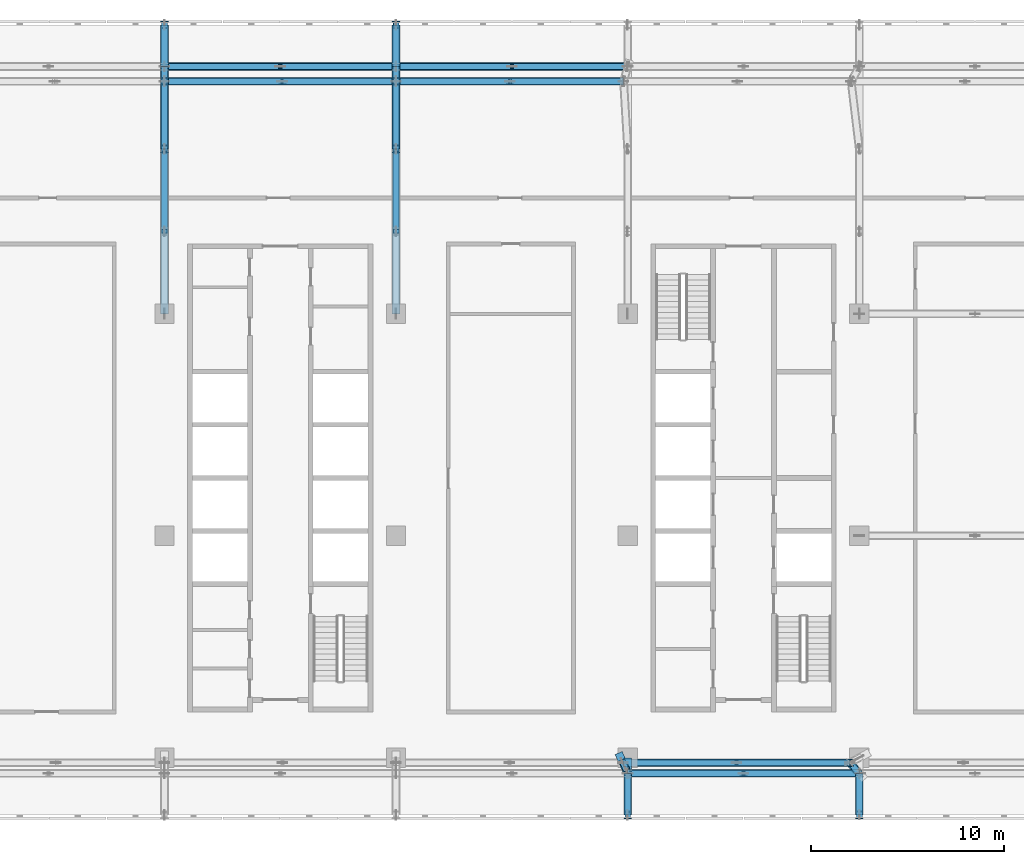
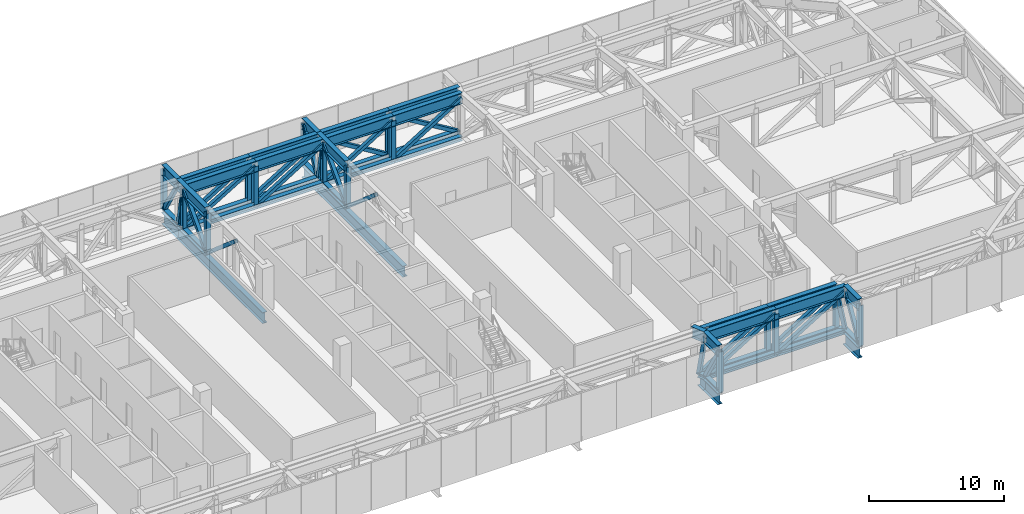
# One storey, part 8 of 29: 72 members, 7 beams.
"""IFC4 building model written with IfcOpenShell, lengths in metres."""

from ifc_helpers import new_model, si_unit, direction, frame, origin, origin_2d, place, context, subcontext, project, spatial, hollow_rectangle, i_section, extrude, material, material_profile, profile_set, type_object, element, save


model = new_model("IFC4")

# Units and contexts
model_context = context("Model", 3, precision=1e-05, world=origin(), true_north=direction((0.0, 1.0)))
body_context = subcontext(model_context, "Body", "Model", "MODEL_VIEW")
ifc_project = project(units=[si_unit("LENGTHUNIT", "METRE"), si_unit("AREAUNIT", "SQUARE_METRE"), si_unit("VOLUMEUNIT", "CUBIC_METRE"), si_unit("PLANEANGLEUNIT", "RADIAN"), si_unit("MASSUNIT", "GRAM", prefix="KILO")], contexts=[model_context])

# Site, building, storey
site_placement = place(None, origin())
site = spatial("IfcSite", under=ifc_project, at=site_placement, CompositionType="ELEMENT")
building_placement = place(site_placement, origin())
building = spatial("IfcBuilding", under=site, at=building_placement, Name="Mahtab Terrace Research Tower", CompositionType="ELEMENT")
storey_placement = place(building_placement, frame((0.0, 0.0, 259.0)))
storey = spatial("IfcBuildingStorey", under=building, at=storey_placement, Name="L63", CompositionType="ELEMENT", Elevation=259.0)

# Members
ifc_material_1 = material(Name="Steel ASTM A500 Gr C", Category="steel")
ifc_material_profile_1 = material_profile(ifc_material_1, hollow_rectangle(XDim=0.3046875, YDim=0.3046875, WallThickness=0.0126953125, at=origin_2d()), Name="HSS12X12X1/2")
ifc_profile_set_1 = profile_set([ifc_material_profile_1], Name="Steel ASTM A500 Gr C")
member_type_1 = type_object("IfcMemberType", Name="HSS 12x12x1/2 brace TD121212", PredefinedType="BRACE", material=ifc_profile_set_1)
member_1_placement = place(storey_placement, frame((-6.0, 20.0380859375, -0.19677734375), z_axis=(0.0, -0.759492630748, 0.650515905908), x_axis=(1.0, 0.0, 0.0)))
element("IfcMember", 1, at=member_1_placement, inside=storey, type_object=member_type_1, Name="Transfer truss T7 diagonal 066", PredefinedType="BRACE", context=body_context, shape_type="SweptSolid", body=[
    extrude(hollow_rectangle(XDim=0.3046875, YDim=0.3046875, WallThickness=0.0126953125, at=origin_2d()), origin(), (0.0, 0.0, 1.0), 5.620849609375),
])
member_2_placement = place(storey_placement, frame((-6.0, 20.0380859375, -0.19677734375), z_axis=(0.0, 0.692283052503, 0.721626063289), x_axis=(-1.0, 0.0, 0.0)))
element("IfcMember", 2, at=member_2_placement, inside=storey, type_object=member_type_1, Name="Transfer truss T7 diagonal 067", PredefinedType="BRACE", context=body_context, shape_type="SweptSolid", body=[
    extrude(hollow_rectangle(XDim=0.3046875, YDim=0.3046875, WallThickness=0.0126953125, at=origin_2d()), origin(), (0.0, 0.0, 1.0), 5.067138671875),
])
member_3_placement = place(storey_placement, frame((-6.0, 24.306884765625, -0.19677734375), z_axis=(0.0, -0.203753250193, 0.979022274024), x_axis=(1.0, 0.0, 0.0)))
element("IfcMember", 3, at=member_3_placement, inside=storey, type_object=member_type_1, Name="Transfer truss T7 diagonal 068", PredefinedType="BRACE", context=body_context, shape_type="SweptSolid", body=[
    extrude(hollow_rectangle(XDim=0.3046875, YDim=0.3046875, WallThickness=0.0126953125, at=origin_2d()), origin(), (0.0, 0.0, 1.0), 3.73486328125),
])
member_4_placement = place(storey_placement, frame((-6.0, 26.472900390625, -0.19677734375), z_axis=(0.0, -0.50966381265, 0.860373638645), x_axis=(1.0, 0.0, 0.0)))
element("IfcMember", 4, at=member_4_placement, inside=storey, type_object=member_type_1, Name="Transfer truss T7 diagonal 070", PredefinedType="BRACE", context=body_context, shape_type="SweptSolid", body=[
    extrude(hollow_rectangle(XDim=0.3046875, YDim=0.3046875, WallThickness=0.0126953125, at=origin_2d()), origin(), (0.0, 0.0, 1.0), 4.25),
])
member_5_placement = place(storey_placement, frame((-6.0, 23.5458984375, -0.19677734375), z_axis=(0.857931497233, 0.0, 0.513764095724), x_axis=(0.0, 1.0, 0.0)))
element("IfcMember", 5, at=member_5_placement, inside=storey, type_object=member_type_1, Name="Transfer truss T7 diagonal 071", PredefinedType="BRACE", context=body_context, shape_type="SweptSolid", body=[
    extrude(hollow_rectangle(XDim=0.3046875, YDim=0.3046875, WallThickness=0.0126953125, at=origin_2d()), origin(), (0.0, 0.0, 1.0), 7.1171875),
])
member_6_placement = place(storey_placement, frame((-6.0, 24.306884765625, -0.19677734375), z_axis=(0.853925355754, 0.0, 0.520395509974), x_axis=(0.0, 1.0, 0.0)))
element("IfcMember", 6, at=member_6_placement, inside=storey, type_object=member_type_1, Name="Transfer truss T7 diagonal 074", PredefinedType="BRACE", context=body_context, shape_type="SweptSolid", body=[
    extrude(hollow_rectangle(XDim=0.3046875, YDim=0.3046875, WallThickness=0.0126953125, at=origin_2d()), origin(), (0.0, 0.0, 1.0), 7.0263671875),
])
member_7_placement = place(storey_placement, frame((0.10595703125, 23.5458984375, -0.19677734375), z_axis=(0.849761419827, 0.0, 0.527167458568), x_axis=(0.0, 1.0, 0.0)))
element("IfcMember", 7, at=member_7_placement, inside=storey, type_object=member_type_1, Name="Transfer truss T7 diagonal 075", PredefinedType="BRACE", context=body_context, shape_type="SweptSolid", body=[
    extrude(hollow_rectangle(XDim=0.3046875, YDim=0.3046875, WallThickness=0.0126953125, at=origin_2d()), origin(), (0.0, 0.0, 1.0), 6.93603515625),
])
member_8_placement = place(storey_placement, frame((6.0, 20.0380859375, -0.19677734375), z_axis=(0.0, -0.759492630748, 0.650515905908), x_axis=(1.0, 0.0, 0.0)))
element("IfcMember", 8, at=member_8_placement, inside=storey, type_object=member_type_1, Name="Transfer truss T7 diagonal 082", PredefinedType="BRACE", context=body_context, shape_type="SweptSolid", body=[
    extrude(hollow_rectangle(XDim=0.3046875, YDim=0.3046875, WallThickness=0.0126953125, at=origin_2d()), origin(), (0.0, 0.0, 1.0), 5.620849609375),
])
member_9_placement = place(storey_placement, frame((6.0, 20.0380859375, -0.19677734375), z_axis=(0.0, 0.692283052503, 0.721626063289), x_axis=(-1.0, 0.0, 0.0)))
element("IfcMember", 9, at=member_9_placement, inside=storey, type_object=member_type_1, Name="Transfer truss T7 diagonal 083", PredefinedType="BRACE", context=body_context, shape_type="SweptSolid", body=[
    extrude(hollow_rectangle(XDim=0.3046875, YDim=0.3046875, WallThickness=0.0126953125, at=origin_2d()), origin(), (0.0, 0.0, 1.0), 5.067138671875),
])
member_10_placement = place(storey_placement, frame((6.0, 24.306884765625, -0.19677734375), z_axis=(0.0, -0.203753250193, 0.979022274024), x_axis=(1.0, 0.0, 0.0)))
element("IfcMember", 10, at=member_10_placement, inside=storey, type_object=member_type_1, Name="Transfer truss T7 diagonal 084", PredefinedType="BRACE", context=body_context, shape_type="SweptSolid", body=[
    extrude(hollow_rectangle(XDim=0.3046875, YDim=0.3046875, WallThickness=0.0126953125, at=origin_2d()), origin(), (0.0, 0.0, 1.0), 3.73486328125),
])
member_11_placement = place(storey_placement, frame((6.0, 23.5458984375, -0.19677734375), z_axis=(0.849761419827, 0.0, 0.527167458568), x_axis=(0.0, 1.0, 0.0)))
element("IfcMember", 11, at=member_11_placement, inside=storey, type_object=member_type_1, Name="Transfer truss T7 diagonal 085", PredefinedType="BRACE", context=body_context, shape_type="SweptSolid", body=[
    extrude(hollow_rectangle(XDim=0.3046875, YDim=0.3046875, WallThickness=0.0126953125, at=origin_2d()), origin(), (0.0, 0.0, 1.0), 6.93603515625),
])
member_12_placement = place(storey_placement, frame((0.0, 24.306884765625, -0.19677734375), z_axis=(0.853925355754, 0.0, 0.520395509974), x_axis=(0.0, 1.0, 0.0)))
element("IfcMember", 12, at=member_12_placement, inside=storey, type_object=member_type_1, Name="Transfer truss T7 diagonal 086", PredefinedType="BRACE", context=body_context, shape_type="SweptSolid", body=[
    extrude(hollow_rectangle(XDim=0.3046875, YDim=0.3046875, WallThickness=0.0126953125, at=origin_2d()), origin(), (0.0, 0.0, 1.0), 7.0263671875),
])
member_13_placement = place(storey_placement, frame((6.0, 24.306884765625, -0.19677734375), z_axis=(0.0, 0.50966381265, 0.860373638645), x_axis=(-1.0, 0.0, 0.0)))
element("IfcMember", 13, at=member_13_placement, inside=storey, type_object=member_type_1, Name="Transfer truss T7 diagonal 087", PredefinedType="BRACE", context=body_context, shape_type="SweptSolid", body=[
    extrude(hollow_rectangle(XDim=0.3046875, YDim=0.3046875, WallThickness=0.0126953125, at=origin_2d()), origin(), (0.0, 0.0, 1.0), 4.25),
])
member_14_placement = place(storey_placement, frame((11.89404296875, 23.5458984375, -0.19677734375), z_axis=(0.849761419827, 0.0, 0.527167458568), x_axis=(0.0, 1.0, 0.0)))
element("IfcMember", 14, at=member_14_placement, inside=storey, type_object=member_type_1, Name="Transfer truss T7 diagonal 089", PredefinedType="BRACE", context=body_context, shape_type="SweptSolid", body=[
    extrude(hollow_rectangle(XDim=0.3046875, YDim=0.3046875, WallThickness=0.0126953125, at=origin_2d()), origin(), (0.0, 0.0, 1.0), 6.93603515625),
])
member_15_placement = place(storey_placement, frame((12.0, 24.306884765625, -0.19677734375), z_axis=(-0.853925355754, 0.0, 0.520395509974), x_axis=(0.0, -1.0, 0.0)))
element("IfcMember", 15, at=member_15_placement, inside=storey, type_object=member_type_1, Name="Transfer truss T7 diagonal 091", PredefinedType="BRACE", context=body_context, shape_type="SweptSolid", body=[
    extrude(hollow_rectangle(XDim=0.3046875, YDim=0.3046875, WallThickness=0.0126953125, at=origin_2d()), origin(), (0.0, 0.0, 1.0), 7.0263671875),
])
member_16_placement = place(storey_placement, frame((18.0, -12.306884765625, -0.19677734375), z_axis=(0.0, -0.50966381265, 0.860373638645), x_axis=(1.0, 0.0, 0.0)))
element("IfcMember", 16, at=member_16_placement, inside=storey, type_object=member_type_1, Name="Transfer truss T7 diagonal 092", PredefinedType="BRACE", context=body_context, shape_type="SweptSolid", body=[
    extrude(hollow_rectangle(XDim=0.3046875, YDim=0.3046875, WallThickness=0.0126953125, at=origin_2d()), origin(), (0.0, 0.0, 1.0), 4.25),
])
member_17_placement = place(storey_placement, frame((18.0, -12.306884765625, -0.19677734375), z_axis=(0.853925355754, 0.0, 0.520395509974), x_axis=(0.0, 1.0, 0.0)))
element("IfcMember", 17, at=member_17_placement, inside=storey, type_object=member_type_1, Name="Transfer truss T7 diagonal 093", PredefinedType="BRACE", context=body_context, shape_type="SweptSolid", body=[
    extrude(hollow_rectangle(XDim=0.3046875, YDim=0.3046875, WallThickness=0.0126953125, at=origin_2d()), origin(), (0.0, 0.0, 1.0), 7.0263671875),
])
member_18_placement = place(storey_placement, frame((17.7548828125, -11.758056640625, -0.19677734375), z_axis=(0.066148320242, -0.148108987952, 0.986756366798), x_axis=(0.913073073567, 0.407795981255, 0.0)))
element("IfcMember", 18, at=member_18_placement, inside=storey, type_object=member_type_1, Name="Transfer truss T7 diagonal 094", PredefinedType="BRACE", context=body_context, shape_type="SweptSolid", body=[
    extrude(hollow_rectangle(XDim=0.3046875, YDim=0.3046875, WallThickness=0.0126953125, at=origin_2d()), origin(), (0.0, 0.0, 1.0), 3.70556640625),
])
member_19_placement = place(storey_placement, frame((17.7548828125, -11.758056640625, -0.19677734375), z_axis=(0.84912374108, 0.0, 0.528193972262), x_axis=(0.0, 1.0, 0.0)))
element("IfcMember", 19, at=member_19_placement, inside=storey, type_object=member_type_1, Name="Transfer truss T7 diagonal 095", PredefinedType="BRACE", context=body_context, shape_type="SweptSolid", body=[
    extrude(hollow_rectangle(XDim=0.3046875, YDim=0.3046875, WallThickness=0.0126953125, at=origin_2d()), origin(), (0.0, 0.0, 1.0), 6.922607421875),
])
member_20_placement = place(storey_placement, frame((18.0, 24.306884765625, -0.19677734375), z_axis=(-0.853925355754, 0.0, 0.520395509974), x_axis=(0.0, -1.0, 0.0)))
element("IfcMember", 20, at=member_20_placement, inside=storey, type_object=member_type_1, Name="Transfer truss T7 diagonal 101", PredefinedType="BRACE", context=body_context, shape_type="SweptSolid", body=[
    extrude(hollow_rectangle(XDim=0.3046875, YDim=0.3046875, WallThickness=0.0126953125, at=origin_2d()), origin(), (0.0, 0.0, 1.0), 7.0263671875),
])
member_21_placement = place(storey_placement, frame((23.633056640625, -11.758056640625, -0.19677734375), z_axis=(0.849074534516, 0.0, 0.528273068438), x_axis=(0.0, 1.0, 0.0)))
element("IfcMember", 21, at=member_21_placement, inside=storey, type_object=member_type_1, Name="Transfer truss T7 diagonal 103", PredefinedType="BRACE", context=body_context, shape_type="SweptSolid", body=[
    extrude(hollow_rectangle(XDim=0.3046875, YDim=0.3046875, WallThickness=0.0126953125, at=origin_2d()), origin(), (0.0, 0.0, 1.0), 6.921630859375),
])
member_22_placement = place(storey_placement, frame((24.0, -12.306884765625, -0.19677734375), z_axis=(0.853925355754, 0.0, 0.520395509974), x_axis=(0.0, 1.0, 0.0)))
element("IfcMember", 22, at=member_22_placement, inside=storey, type_object=member_type_1, Name="Transfer truss T7 diagonal 105", PredefinedType="BRACE", context=body_context, shape_type="SweptSolid", body=[
    extrude(hollow_rectangle(XDim=0.3046875, YDim=0.3046875, WallThickness=0.0126953125, at=origin_2d()), origin(), (0.0, 0.0, 1.0), 7.0263671875),
])
member_23_placement = place(storey_placement, frame((30.0, -14.472900390625, -0.19677734375), z_axis=(0.0, 0.50966381265, 0.860373638645), x_axis=(-1.0, 0.0, 0.0)))
element("IfcMember", 23, at=member_23_placement, inside=storey, type_object=member_type_1, Name="Transfer truss T7 diagonal 107", PredefinedType="BRACE", context=body_context, shape_type="SweptSolid", body=[
    extrude(hollow_rectangle(XDim=0.3046875, YDim=0.3046875, WallThickness=0.0126953125, at=origin_2d()), origin(), (0.0, 0.0, 1.0), 4.25),
])
member_24_placement = place(storey_placement, frame((30.0, -12.306884765625, -0.19677734375), z_axis=(-0.131372454274, 0.147147621927, 0.98035139395), x_axis=(-0.745961212138, -0.665989391797, 0.0)))
element("IfcMember", 24, at=member_24_placement, inside=storey, type_object=member_type_1, Name="Transfer truss T7 diagonal 109", PredefinedType="BRACE", context=body_context, shape_type="SweptSolid", body=[
    extrude(hollow_rectangle(XDim=0.3046875, YDim=0.3046875, WallThickness=0.0126953125, at=origin_2d()), origin(), (0.0, 0.0, 1.0), 3.729736328125),
])
ifc_material_2 = material(Name="Steel ASTM A992 Gr 50", Category="steel")
ifc_material_profile_2 = material_profile(ifc_material_2, i_section(OverallWidth=0.373291015625, OverallDepth=0.373291015625, WebThickness=0.016357421875, FlangeThickness=0.026123046875, at=origin_2d()), Name="W14X132")
ifc_profile_set_2 = profile_set([ifc_material_profile_2], Name="Steel ASTM A992 Gr 50")
member_type_2 = type_object("IfcMemberType", Name="W14x132 post TP14132", PredefinedType="POST", material=ifc_profile_set_2)
for number, where, z_axis, x_axis, name in (
    (25, (-6.0, 20.0400390625, -0.19677734375), (0.0, 0.0, 1.0), (1.0, 0.0, 0.0), "Transfer truss T7 post 061"),
    (26, (-6.0, 23.550048828125, -0.19677734375), (0.0, 0.0, 1.0), (1.0, 0.0, 0.0), "Transfer truss T7 post 062"),
    (27, (-6.0, 26.469970703125, -0.19677734375), (0.0, 0.0, 1.0), (1.0, 0.0, 0.0), "Transfer truss T7 post 064"),
    (28, (0.0, 24.31005859375, -0.19677734375), (0.0, 0.0, 1.0), (1.0, 0.0, 0.0), "Transfer truss T7 post 066"),
    (29, (0.110107421875, 23.550048828125, -0.19677734375), (0.0, 0.0, 1.0), (1.0, 0.0, 0.0), "Transfer truss T7 post 067"),
    (30, (6.0, 20.0400390625, -0.19677734375), (0.0, 0.0, 1.0), (1.0, 0.0, 0.0), "Transfer truss T7 post 074"),
    (31, (6.0, 23.550048828125, -0.19677734375), (0.0, 0.0, 1.0), (1.0, 0.0, 0.0), "Transfer truss T7 post 075"),
    (32, (6.0, 26.469970703125, -0.19677734375), (0.0, 0.0, 1.0), (1.0, 0.0, 0.0), "Transfer truss T7 post 077"),
    (33, (11.889892578125, 23.550048828125, -0.19677734375), (0.0, 0.0, 1.0), (1.0, 0.0, 0.0), "Transfer truss T7 post 079"),
    (34, (12.0, 24.31005859375, -0.19677734375), (0.0, 0.0, 1.0), (1.0, 0.0, 0.0), "Transfer truss T7 post 081"),
    (35, (18.0, -14.469970703125, -0.19677734375), (0.0, 0.0, 1.0), (1.0, 0.0, 0.0), "Transfer truss T7 post 084"),
    (36, (23.6298828125, -11.760009765625, -0.19677734375), (0.0, 0.0, 1.0), (1.0, 0.0, 0.0), "Transfer truss T7 post 091"),
    (37, (24.0, -12.31005859375, -0.19677734375), (0.0, 0.0, 1.0), (1.0, 0.0, 0.0), "Transfer truss T7 post 093"),
    (38, (29.510009765625, -11.760009765625, -0.19677734375), (0.0, 0.0, 1.0), (1.0, 0.0, 0.0), "Transfer truss T7 post 095"),
    (39, (30.0, -14.469970703125, -0.19677734375), (0.0, 0.0, 1.0), (1.0, 0.0, 0.0), "Transfer truss T7 post 097"),
):
    element("IfcMember", number, at=place(storey_placement, frame(where, z_axis=z_axis, x_axis=x_axis)), inside=storey, type_object=member_type_2, Name=name, PredefinedType="POST", context=body_context, shape_type="SweptSolid", body=[
        extrude(i_section(OverallWidth=0.373291015625, OverallDepth=0.373291015625, WebThickness=0.016357421875, FlangeThickness=0.026123046875, at=origin_2d()), origin(), (0.0, 0.0, 1.0), 3.656494140625),
    ])
ifc_material_profile_3 = material_profile(ifc_material_2, i_section(OverallWidth=0.40380859375, OverallDepth=0.406494140625, WebThickness=0.027099609375, FlangeThickness=0.043701171875, at=origin_2d()), Name="W14X233")
ifc_profile_set_3 = profile_set([ifc_material_profile_3], Name="Steel ASTM A992 Gr 50")
member_type_3 = type_object("IfcMemberType", Name="W14x233 chord TC14233", PredefinedType="CHORD", material=ifc_profile_set_3)
for number, where, z_axis, x_axis, name in (
    (40, (18.0, 24.306884765625, -0.19677734375), (-1.0, 0.0, 0.0), (0.0, -1.0, 0.0), "Transfer truss T7 bottom chord 012"),
    (41, (6.0, 24.306884765625, -0.19677734375), (-1.0, 0.0, 0.0), (0.0, -1.0, 0.0), "Transfer truss T7 bottom chord 013"),
    (42, (18.0, -12.306884765625, -0.19677734375), (1.0, 0.0, 0.0), (0.0, 1.0, 0.0), "Transfer truss T7 bottom chord 023"),
    (43, (-6.0, 23.5458984375, -0.19677734375), (1.0, 0.0, 0.0), (0.0, 1.0, 0.0), "Transfer truss T7 bottom chord 030"),
):
    element("IfcMember", number, at=place(storey_placement, frame(where, z_axis=z_axis, x_axis=x_axis)), inside=storey, type_object=member_type_3, Name=name, PredefinedType="CHORD", context=body_context, shape_type="SweptSolid", body=[
        extrude(i_section(OverallWidth=0.40380859375, OverallDepth=0.406494140625, WebThickness=0.027099609375, FlangeThickness=0.043701171875, at=origin_2d()), origin(), (0.0, 0.0, 1.0), 12.0),
    ])
member_25_placement = place(storey_placement, frame((6.0, 23.5458984375, -0.19677734375), z_axis=(1.0, 0.0, 0.0), x_axis=(0.0, 1.0, 0.0)))
element("IfcMember", 44, at=member_25_placement, inside=storey, type_object=member_type_3, Name="Transfer truss T7 bottom chord 031", PredefinedType="CHORD", context=body_context, shape_type="SweptSolid", body=[
    extrude(i_section(OverallWidth=0.40380859375, OverallDepth=0.406494140625, WebThickness=0.027099609375, FlangeThickness=0.043701171875, at=origin_2d()), origin(), (0.0, 0.0, 1.0), 11.7880859375),
])
member_26_placement = place(storey_placement, frame((17.7548828125, -11.758056640625, -0.19677734375), z_axis=(1.0, 0.0, 0.0), x_axis=(0.0, 1.0, 0.0)))
element("IfcMember", 45, at=member_26_placement, inside=storey, type_object=member_type_3, Name="Transfer truss T7 bottom chord 040", PredefinedType="CHORD", context=body_context, shape_type="SweptSolid", body=[
    extrude(i_section(OverallWidth=0.40380859375, OverallDepth=0.406494140625, WebThickness=0.027099609375, FlangeThickness=0.043701171875, at=origin_2d()), origin(), (0.0, 0.0, 1.0), 11.755126953125),
])
member_27_placement = place(storey_placement, frame((-6.0, 20.0380859375, -0.19677734375), z_axis=(0.0, 1.0, 0.0), x_axis=(-1.0, 0.0, 0.0)))
element("IfcMember", 46, at=member_27_placement, inside=storey, type_object=member_type_3, Name="Transfer truss T7 bottom chord 057", PredefinedType="CHORD", context=body_context, shape_type="SweptSolid", body=[
    extrude(i_section(OverallWidth=0.40380859375, OverallDepth=0.406494140625, WebThickness=0.027099609375, FlangeThickness=0.043701171875, at=origin_2d()), origin(), (0.0, 0.0, 1.0), 4.268798828125),
])
member_28_placement = place(storey_placement, frame((-6.0, 24.306884765625, -0.19677734375), z_axis=(0.0, 1.0, 0.0), x_axis=(-1.0, 0.0, 0.0)))
element("IfcMember", 47, at=member_28_placement, inside=storey, type_object=member_type_3, Name="Transfer truss T7 bottom chord 058", PredefinedType="CHORD", context=body_context, shape_type="SweptSolid", body=[
    extrude(i_section(OverallWidth=0.40380859375, OverallDepth=0.406494140625, WebThickness=0.027099609375, FlangeThickness=0.043701171875, at=origin_2d()), origin(), (0.0, 0.0, 1.0), 2.166015625),
])
member_29_placement = place(storey_placement, frame((6.0, 20.0380859375, -0.19677734375), z_axis=(0.0, 1.0, 0.0), x_axis=(-1.0, 0.0, 0.0)))
element("IfcMember", 48, at=member_29_placement, inside=storey, type_object=member_type_3, Name="Transfer truss T7 bottom chord 062", PredefinedType="CHORD", context=body_context, shape_type="SweptSolid", body=[
    extrude(i_section(OverallWidth=0.40380859375, OverallDepth=0.406494140625, WebThickness=0.027099609375, FlangeThickness=0.043701171875, at=origin_2d()), origin(), (0.0, 0.0, 1.0), 4.268798828125),
])
member_30_placement = place(storey_placement, frame((6.0, 24.306884765625, -0.19677734375), z_axis=(0.0, 1.0, 0.0), x_axis=(-1.0, 0.0, 0.0)))
element("IfcMember", 49, at=member_30_placement, inside=storey, type_object=member_type_3, Name="Transfer truss T7 bottom chord 063", PredefinedType="CHORD", context=body_context, shape_type="SweptSolid", body=[
    extrude(i_section(OverallWidth=0.40380859375, OverallDepth=0.406494140625, WebThickness=0.027099609375, FlangeThickness=0.043701171875, at=origin_2d()), origin(), (0.0, 0.0, 1.0), 2.166015625),
])
member_31_placement = place(storey_placement, frame((18.0, -12.306884765625, -0.19677734375), z_axis=(-0.407795981255, 0.913073073567, 0.0), x_axis=(-0.913073073567, -0.407795981255, 0.0)))
element("IfcMember", 50, at=member_31_placement, inside=storey, type_object=member_type_3, Name="Transfer truss T7 bottom chord 064", PredefinedType="CHORD", context=body_context, shape_type="SweptSolid", body=[
    extrude(i_section(OverallWidth=0.40380859375, OverallDepth=0.406494140625, WebThickness=0.027099609375, FlangeThickness=0.043701171875, at=origin_2d()), origin(), (0.0, 0.0, 1.0), 0.60107421875),
])
member_32_placement = place(storey_placement, frame((18.0, -14.472900390625, -0.19677734375), z_axis=(0.0, 1.0, 0.0), x_axis=(-1.0, 0.0, 0.0)))
element("IfcMember", 51, at=member_32_placement, inside=storey, type_object=member_type_3, Name="Transfer truss T7 bottom chord 067", PredefinedType="CHORD", context=body_context, shape_type="SweptSolid", body=[
    extrude(i_section(OverallWidth=0.40380859375, OverallDepth=0.406494140625, WebThickness=0.027099609375, FlangeThickness=0.043701171875, at=origin_2d()), origin(), (0.0, 0.0, 1.0), 2.166015625),
])
member_33_placement = place(storey_placement, frame((30.0, -12.306884765625, -0.19677734375), z_axis=(-0.665989391797, 0.745961212138, 0.0), x_axis=(-0.745961212138, -0.665989391797, 0.0)))
element("IfcMember", 52, at=member_33_placement, inside=storey, type_object=member_type_3, Name="Transfer truss T7 bottom chord 070", PredefinedType="CHORD", context=body_context, shape_type="SweptSolid", body=[
    extrude(i_section(OverallWidth=0.40380859375, OverallDepth=0.406494140625, WebThickness=0.027099609375, FlangeThickness=0.043701171875, at=origin_2d()), origin(), (0.0, 0.0, 1.0), 0.73583984375),
])
member_34_placement = place(storey_placement, frame((30.0, -14.472900390625, -0.19677734375), z_axis=(0.0, 1.0, 0.0), x_axis=(-1.0, 0.0, 0.0)))
element("IfcMember", 53, at=member_34_placement, inside=storey, type_object=member_type_3, Name="Transfer truss T7 bottom chord 074", PredefinedType="CHORD", context=body_context, shape_type="SweptSolid", body=[
    extrude(i_section(OverallWidth=0.40380859375, OverallDepth=0.406494140625, WebThickness=0.027099609375, FlangeThickness=0.043701171875, at=origin_2d()), origin(), (0.0, 0.0, 1.0), 2.166015625),
])
ifc_material_profile_4 = material_profile(ifc_material_2, i_section(OverallWidth=0.4013671875, OverallDepth=1.000732421875, WebThickness=0.01904296875, FlangeThickness=0.0361328125, at=origin_2d()), Name="W40X249")
ifc_profile_set_4 = profile_set([ifc_material_profile_4], Name="Steel ASTM A992 Gr 50")
member_type_4 = type_object("IfcMemberType", Name="W40x249 chord TT40249", PredefinedType="CHORD", material=ifc_profile_set_4)
for number, where, z_axis, x_axis, name in (
    (54, (18.0, 24.306884765625, 3.459716796875), (-1.0, 0.0, 0.0), (0.0, -1.0, 0.0), "Transfer truss T7 top chord 016"),
    (55, (12.0, 24.306884765625, 3.459716796875), (-1.0, 0.0, 0.0), (0.0, -1.0, 0.0), "Transfer truss T7 top chord 017"),
    (56, (6.0, 24.306884765625, 3.459716796875), (-1.0, 0.0, 0.0), (0.0, -1.0, 0.0), "Transfer truss T7 top chord 018"),
    (57, (0.0, 24.306884765625, 3.459716796875), (-1.0, 0.0, 0.0), (0.0, -1.0, 0.0), "Transfer truss T7 top chord 019"),
    (58, (18.0, -12.306884765625, 3.459716796875), (1.0, 0.0, 0.0), (0.0, 1.0, 0.0), "Transfer truss T7 top chord 036"),
    (59, (24.0, -12.306884765625, 3.459716796875), (1.0, 0.0, 0.0), (0.0, 1.0, 0.0), "Transfer truss T7 top chord 037"),
):
    element("IfcMember", number, at=place(storey_placement, frame(where, z_axis=z_axis, x_axis=x_axis)), inside=storey, type_object=member_type_4, Name=name, PredefinedType="CHORD", context=body_context, shape_type="SweptSolid", body=[
        extrude(i_section(OverallWidth=0.4013671875, OverallDepth=1.000732421875, WebThickness=0.01904296875, FlangeThickness=0.0361328125, at=origin_2d()), origin(), (0.0, 0.0, 1.0), 6.0),
    ])
member_35_placement = place(storey_placement, frame((-6.0, 23.5458984375, 3.459716796875), z_axis=(1.0, 0.0, 0.0), x_axis=(0.0, 1.0, 0.0)))
element("IfcMember", 60, at=member_35_placement, inside=storey, type_object=member_type_4, Name="Transfer truss T7 top chord 047", PredefinedType="CHORD", context=body_context, shape_type="SweptSolid", body=[
    extrude(i_section(OverallWidth=0.4013671875, OverallDepth=1.000732421875, WebThickness=0.01904296875, FlangeThickness=0.0361328125, at=origin_2d()), origin(), (0.0, 0.0, 1.0), 6.10595703125),
])
for number, where, z_axis, x_axis, name in (
    (61, (0.10595703125, 23.5458984375, 3.459716796875), (1.0, 0.0, 0.0), (0.0, 1.0, 0.0), "Transfer truss T7 top chord 048"),
    (62, (6.0, 23.5458984375, 3.459716796875), (1.0, 0.0, 0.0), (0.0, 1.0, 0.0), "Transfer truss T7 top chord 049"),
    (63, (11.89404296875, 23.5458984375, 3.459716796875), (1.0, 0.0, 0.0), (0.0, 1.0, 0.0), "Transfer truss T7 top chord 050"),
):
    element("IfcMember", number, at=place(storey_placement, frame(where, z_axis=z_axis, x_axis=x_axis)), inside=storey, type_object=member_type_4, Name=name, PredefinedType="CHORD", context=body_context, shape_type="SweptSolid", body=[
        extrude(i_section(OverallWidth=0.4013671875, OverallDepth=1.000732421875, WebThickness=0.01904296875, FlangeThickness=0.0361328125, at=origin_2d()), origin(), (0.0, 0.0, 1.0), 5.89404296875),
    ])
member_36_placement = place(storey_placement, frame((17.7548828125, -11.758056640625, 3.459716796875), z_axis=(1.0, 0.0, 0.0), x_axis=(0.0, 1.0, 0.0)))
element("IfcMember", 64, at=member_36_placement, inside=storey, type_object=member_type_4, Name="Transfer truss T7 top chord 065", PredefinedType="CHORD", context=body_context, shape_type="SweptSolid", body=[
    extrude(i_section(OverallWidth=0.4013671875, OverallDepth=1.000732421875, WebThickness=0.01904296875, FlangeThickness=0.0361328125, at=origin_2d()), origin(), (0.0, 0.0, 1.0), 5.878173828125),
])
member_37_placement = place(storey_placement, frame((23.633056640625, -11.758056640625, 3.459716796875), z_axis=(1.0, 0.0, 0.0), x_axis=(0.0, 1.0, 0.0)))
element("IfcMember", 65, at=member_37_placement, inside=storey, type_object=member_type_4, Name="Transfer truss T7 top chord 066", PredefinedType="CHORD", context=body_context, shape_type="SweptSolid", body=[
    extrude(i_section(OverallWidth=0.4013671875, OverallDepth=1.000732421875, WebThickness=0.01904296875, FlangeThickness=0.0361328125, at=origin_2d()), origin(), (0.0, 0.0, 1.0), 5.876953125),
])
member_38_placement = place(storey_placement, frame((-6.0, 20.0380859375, 3.459716796875), z_axis=(0.0, 1.0, 0.0), x_axis=(-1.0, 0.0, 0.0)))
element("IfcMember", 66, at=member_38_placement, inside=storey, type_object=member_type_4, Name="Transfer truss T7 top chord 083", PredefinedType="CHORD", context=body_context, shape_type="SweptSolid", body=[
    extrude(i_section(OverallWidth=0.4013671875, OverallDepth=1.000732421875, WebThickness=0.01904296875, FlangeThickness=0.0361328125, at=origin_2d()), origin(), (0.0, 0.0, 1.0), 4.268798828125),
])
member_39_placement = place(storey_placement, frame((-6.0, 24.306884765625, 3.459716796875), z_axis=(0.0, 1.0, 0.0), x_axis=(-1.0, 0.0, 0.0)))
element("IfcMember", 67, at=member_39_placement, inside=storey, type_object=member_type_4, Name="Transfer truss T7 top chord 084", PredefinedType="CHORD", context=body_context, shape_type="SweptSolid", body=[
    extrude(i_section(OverallWidth=0.4013671875, OverallDepth=1.000732421875, WebThickness=0.01904296875, FlangeThickness=0.0361328125, at=origin_2d()), origin(), (0.0, 0.0, 1.0), 2.166015625),
])
member_40_placement = place(storey_placement, frame((6.0, 20.0380859375, 3.459716796875), z_axis=(0.0, 1.0, 0.0), x_axis=(-1.0, 0.0, 0.0)))
element("IfcMember", 68, at=member_40_placement, inside=storey, type_object=member_type_4, Name="Transfer truss T7 top chord 088", PredefinedType="CHORD", context=body_context, shape_type="SweptSolid", body=[
    extrude(i_section(OverallWidth=0.4013671875, OverallDepth=1.000732421875, WebThickness=0.01904296875, FlangeThickness=0.0361328125, at=origin_2d()), origin(), (0.0, 0.0, 1.0), 4.268798828125),
])
member_41_placement = place(storey_placement, frame((6.0, 24.306884765625, 3.459716796875), z_axis=(0.0, 1.0, 0.0), x_axis=(-1.0, 0.0, 0.0)))
element("IfcMember", 69, at=member_41_placement, inside=storey, type_object=member_type_4, Name="Transfer truss T7 top chord 089", PredefinedType="CHORD", context=body_context, shape_type="SweptSolid", body=[
    extrude(i_section(OverallWidth=0.4013671875, OverallDepth=1.000732421875, WebThickness=0.01904296875, FlangeThickness=0.0361328125, at=origin_2d()), origin(), (0.0, 0.0, 1.0), 2.166015625),
])
member_42_placement = place(storey_placement, frame((18.0, -12.306884765625, 3.459716796875), z_axis=(-0.407575020304, 0.913171726908, 0.0), x_axis=(-0.913171726908, -0.407575020304, 0.0)))
element("IfcMember", 70, at=member_42_placement, inside=storey, type_object=member_type_4, Name="Transfer truss T7 top chord 090", PredefinedType="CHORD", context=body_context, shape_type="SweptSolid", body=[
    extrude(i_section(OverallWidth=0.4013671875, OverallDepth=1.000732421875, WebThickness=0.01904296875, FlangeThickness=0.0361328125, at=origin_2d()), origin(), (0.0, 0.0, 1.0), 1.150634765625),
])
for number, where, z_axis, x_axis, name in (
    (71, (18.0, -14.472900390625, 3.459716796875), (0.0, 1.0, 0.0), (-1.0, 0.0, 0.0), "Transfer truss T7 top chord 093"),
    (72, (30.0, -14.472900390625, 3.459716796875), (0.0, 1.0, 0.0), (-1.0, 0.0, 0.0), "Transfer truss T7 top chord 100"),
):
    element("IfcMember", number, at=place(storey_placement, frame(where, z_axis=z_axis, x_axis=x_axis)), inside=storey, type_object=member_type_4, Name=name, PredefinedType="CHORD", context=body_context, shape_type="SweptSolid", body=[
        extrude(i_section(OverallWidth=0.4013671875, OverallDepth=1.000732421875, WebThickness=0.01904296875, FlangeThickness=0.0361328125, at=origin_2d()), origin(), (0.0, 0.0, 1.0), 2.166015625),
    ])

# Beams
ifc_material_profile_5 = material_profile(ifc_material_2, i_section(OverallWidth=0.4013671875, OverallDepth=1.000732421875, WebThickness=0.01904296875, FlangeThickness=0.0361328125, at=origin_2d()), Name="W40X249")
ifc_profile_set_5 = profile_set([ifc_material_profile_5], Name="Steel ASTM A992 Gr 50")
beam_type = type_object("IfcBeamType", Name="W40x249 transfer girder TG40249", PredefinedType="BEAM", material=ifc_profile_set_5)
beam_1_placement = place(storey_placement, frame((6.0, 11.5, -0.8984375), z_axis=(0.0, 1.0, 0.0), x_axis=(-1.0, 0.0, 0.0)))
element("IfcBeam", 73, at=beam_1_placement, inside=storey, type_object=beam_type, Name="Transfer girder T7 07", PredefinedType="BEAM", context=body_context, shape_type="SweptSolid", body=[
    extrude(i_section(OverallWidth=0.4013671875, OverallDepth=1.000732421875, WebThickness=0.01904296875, FlangeThickness=0.0361328125, at=origin_2d()), origin(), (0.0, 0.0, 1.0), 12.806884765625),
])
beam_2_placement = place(storey_placement, frame((6.0, 24.306884765625, -0.8984375), z_axis=(0.0, 1.0, 0.0), x_axis=(-1.0, 0.0, 0.0)))
element("IfcBeam", 74, at=beam_2_placement, inside=storey, type_object=beam_type, Name="Transfer girder T7 08", PredefinedType="BEAM", context=body_context, shape_type="SweptSolid", body=[
    extrude(i_section(OverallWidth=0.4013671875, OverallDepth=1.000732421875, WebThickness=0.01904296875, FlangeThickness=0.0361328125, at=origin_2d()), origin(), (0.0, 0.0, 1.0), 2.166015625),
])
beam_3_placement = place(storey_placement, frame((-6.0, 11.5, -0.8984375), z_axis=(0.0, 1.0, 0.0), x_axis=(-1.0, 0.0, 0.0)))
element("IfcBeam", 75, at=beam_3_placement, inside=storey, type_object=beam_type, Name="Transfer girder T7 09", PredefinedType="BEAM", context=body_context, shape_type="SweptSolid", body=[
    extrude(i_section(OverallWidth=0.4013671875, OverallDepth=1.000732421875, WebThickness=0.01904296875, FlangeThickness=0.0361328125, at=origin_2d()), origin(), (0.0, 0.0, 1.0), 12.806884765625),
])
for number, where, z_axis, x_axis, name in (
    (76, (-6.0, 24.306884765625, -0.8984375), (0.0, 1.0, 0.0), (-1.0, 0.0, 0.0), "Transfer girder T7 10"),
    (77, (18.0, -14.472900390625, -0.8984375), (0.0, 1.0, 0.0), (-1.0, 0.0, 0.0), "Transfer girder T7 27"),
):
    element("IfcBeam", number, at=place(storey_placement, frame(where, z_axis=z_axis, x_axis=x_axis)), inside=storey, type_object=beam_type, Name=name, PredefinedType="BEAM", context=body_context, shape_type="SweptSolid", body=[
        extrude(i_section(OverallWidth=0.4013671875, OverallDepth=1.000732421875, WebThickness=0.01904296875, FlangeThickness=0.0361328125, at=origin_2d()), origin(), (0.0, 0.0, 1.0), 2.166015625),
    ])
beam_4_placement = place(storey_placement, frame((18.0, -12.306884765625, -0.8984375), z_axis=(0.0, 1.0, 0.0), x_axis=(-1.0, 0.0, 0.0)))
element("IfcBeam", 78, at=beam_4_placement, inside=storey, type_object=beam_type, Name="Transfer girder T7 28", PredefinedType="BEAM", context=body_context, shape_type="SweptSolid", body=[
    extrude(i_section(OverallWidth=0.4013671875, OverallDepth=1.000732421875, WebThickness=0.01904296875, FlangeThickness=0.0361328125, at=origin_2d()), origin(), (0.0, 0.0, 1.0), 0.806884765625),
])
beam_5_placement = place(storey_placement, frame((30.0, -14.472900390625, -0.8984375), z_axis=(0.0, 1.0, 0.0), x_axis=(-1.0, 0.0, 0.0)))
element("IfcBeam", 79, at=beam_5_placement, inside=storey, type_object=beam_type, Name="Transfer girder T7 29", PredefinedType="BEAM", context=body_context, shape_type="SweptSolid", body=[
    extrude(i_section(OverallWidth=0.4013671875, OverallDepth=1.000732421875, WebThickness=0.01904296875, FlangeThickness=0.0361328125, at=origin_2d()), origin(), (0.0, 0.0, 1.0), 2.166015625),
])

save(model, "model.ifc")
